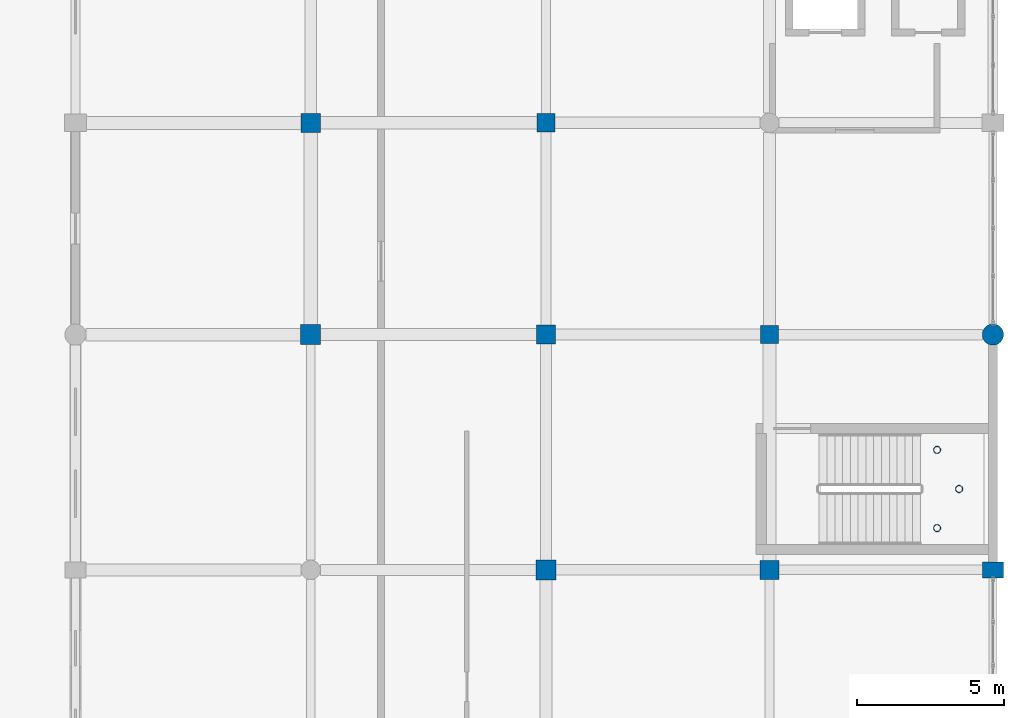
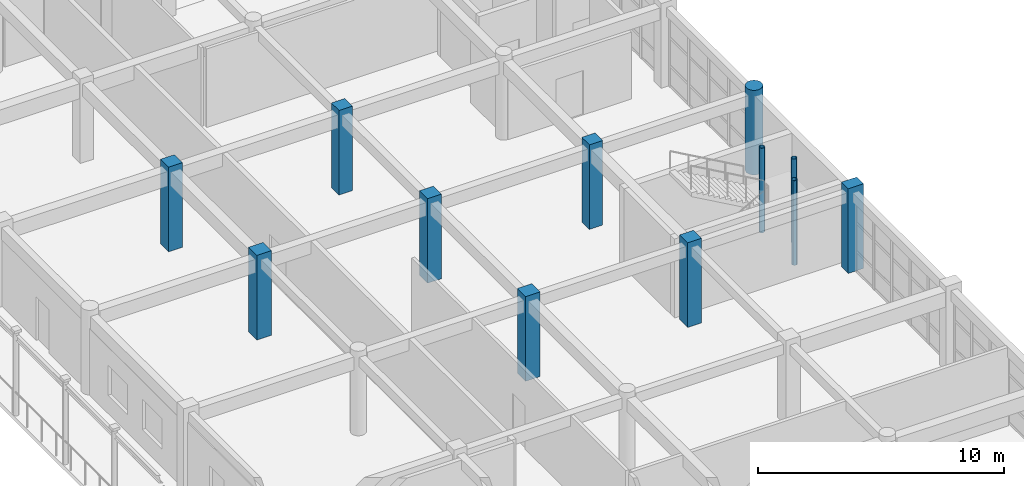
# One storey, part 28 of 195: 12 columns.
"""IFC4 building model written with IfcOpenShell, lengths in metres."""

from ifc_helpers import new_model, si_unit, direction, frame, origin, origin_2d, place, context, subcontext, project, spatial, rectangle, circle, hollow_circle, extrude, material, material_profile, profile_set, type_object, element, save


model = new_model("IFC4")

# Units and contexts
model_context = context("Model", 3, precision=1e-05, world=origin(), true_north=direction((0.0, 1.0)))
body_context = subcontext(model_context, "Body", "Model", "MODEL_VIEW")
ifc_project = project(units=[si_unit("LENGTHUNIT", "METRE"), si_unit("AREAUNIT", "SQUARE_METRE"), si_unit("VOLUMEUNIT", "CUBIC_METRE"), si_unit("PLANEANGLEUNIT", "RADIAN"), si_unit("MASSUNIT", "GRAM", prefix="KILO")], contexts=[model_context])

# Site, building, storey
site_placement = place(None, origin())
site = spatial("IfcSite", under=ifc_project, at=site_placement, CompositionType="ELEMENT")
building_placement = place(site_placement, origin())
building = spatial("IfcBuilding", under=site, at=building_placement, Name="Kharva Crest Polytechnic", CompositionType="ELEMENT")
storey_placement = place(building_placement, frame((0.0, 0.0, 9.0)))
storey = spatial("IfcBuildingStorey", under=building, at=storey_placement, Name="L02", CompositionType="ELEMENT", Elevation=9.0)

# Columns
ifc_material_1 = material(Name="Concrete C40/50", Category="concrete")
ifc_material_profile_1 = material_profile(ifc_material_1, rectangle(XDim=0.719970703125, YDim=0.550048828125, at=origin_2d()), Name="RECT 720 X 550")
ifc_profile_set_1 = profile_set([ifc_material_profile_1], Name="Concrete C40/50")
column_type_1 = type_object("IfcColumnType", Name="COL-EXT-720X550", PredefinedType="COLUMN", material=ifc_profile_set_1)
column_1_placement = place(storey_placement, frame((184.0, 70.800048828125, 0.0), z_axis=(0.0, 0.0, 1.0), x_axis=(1.0, 0.0, 0.0)))
element("IfcColumn", 1, at=column_1_placement, inside=storey, type_object=column_type_1, Name="L02 Column 24/K", PredefinedType="COLUMN", context=body_context, shape_type="SweptSolid", body=[
    extrude(rectangle(XDim=0.719970703125, YDim=0.550048828125, at=origin_2d()), origin(), (0.0, 0.0, 1.0), 4.199951171875),
])
ifc_material_profile_2 = material_profile(ifc_material_1, circle(Radius=0.360107421875, at=origin_2d()), Name="DIA 720")
ifc_profile_set_2 = profile_set([ifc_material_profile_2], Name="Concrete C40/50")
column_type_2 = type_object("IfcColumnType", Name="COL-EXT-DIA720", PredefinedType="COLUMN", material=ifc_profile_set_2)
column_2_placement = place(storey_placement, frame((184.0, 78.800048828125, 0.0), z_axis=(0.0, 0.0, 1.0), x_axis=(1.0, 0.0, 0.0)))
element("IfcColumn", 2, at=column_2_placement, inside=storey, type_object=column_type_2, Name="L02 Column 24/L", PredefinedType="COLUMN", context=body_context, shape_type="SweptSolid", body=[
    extrude(circle(Radius=0.360107421875, at=origin_2d()), origin(), (0.0, 0.0, 1.0), 4.199951171875),
])
ifc_material_profile_3 = material_profile(ifc_material_1, rectangle(XDim=0.6201171875, YDim=0.6201171875, at=origin_2d()), Name="RECT 620 X 620")
ifc_profile_set_3 = profile_set([ifc_material_profile_3], Name="Concrete C40/50")
column_type_3 = type_object("IfcColumnType", Name="COL-INT-620X620", PredefinedType="COLUMN", material=ifc_profile_set_3)
for number, where, z_axis, x_axis, name in (
    (3, (168.800048828125, 86.0, 0.0), (0.0, 0.0, 1.0), (1.0, 0.0, 0.0), "L02 Column 22/M"),
    (4, (176.39990234375, 78.800048828125, 0.0), (0.0, 0.0, 1.0), (1.0, 0.0, 0.0), "L02 Column 23/L"),
):
    element("IfcColumn", number, at=place(storey_placement, frame(where, z_axis=z_axis, x_axis=x_axis)), inside=storey, type_object=column_type_3, Name=name, PredefinedType="COLUMN", context=body_context, shape_type="SweptSolid", body=[
        extrude(rectangle(XDim=0.6201171875, YDim=0.6201171875, at=origin_2d()), origin(), (0.0, 0.0, 1.0), 4.199951171875),
    ])
ifc_material_profile_4 = material_profile(ifc_material_1, rectangle(XDim=0.64990234375, YDim=0.64990234375, at=origin_2d()), Name="RECT 650 X 650")
ifc_profile_set_4 = profile_set([ifc_material_profile_4], Name="Concrete C40/50")
column_type_4 = type_object("IfcColumnType", Name="COL-INT-650X650", PredefinedType="COLUMN", material=ifc_profile_set_4)
for number, where, z_axis, x_axis, name in (
    (5, (160.800048828125, 86.0, 0.0), (0.0, 0.0, 1.0), (1.0, 0.0, 0.0), "L02 Column 21/M"),
    (6, (168.800048828125, 78.800048828125, 0.0), (0.0, 0.0, 1.0), (1.0, 0.0, 0.0), "L02 Column 22/L"),
    (7, (176.39990234375, 70.800048828125, 0.0), (0.0, 0.0, 1.0), (1.0, 0.0, 0.0), "L02 Column 23/K"),
):
    element("IfcColumn", number, at=place(storey_placement, frame(where, z_axis=z_axis, x_axis=x_axis)), inside=storey, type_object=column_type_4, Name=name, PredefinedType="COLUMN", context=body_context, shape_type="SweptSolid", body=[
        extrude(rectangle(XDim=0.64990234375, YDim=0.64990234375, at=origin_2d()), origin(), (0.0, 0.0, 1.0), 4.199951171875),
    ])
ifc_material_profile_5 = material_profile(ifc_material_1, rectangle(XDim=0.679931640625, YDim=0.679931640625, at=origin_2d()), Name="RECT 680 X 680")
ifc_profile_set_5 = profile_set([ifc_material_profile_5], Name="Concrete C40/50")
column_type_5 = type_object("IfcColumnType", Name="COL-INT-680X680", PredefinedType="COLUMN", material=ifc_profile_set_5)
for number, where, z_axis, x_axis, name in (
    (8, (160.800048828125, 78.800048828125, 0.0), (0.0, 0.0, 1.0), (1.0, 0.0, 0.0), "L02 Column 21/L"),
    (9, (168.800048828125, 70.800048828125, 0.0), (0.0, 0.0, 1.0), (1.0, 0.0, 0.0), "L02 Column 22/K"),
):
    element("IfcColumn", number, at=place(storey_placement, frame(where, z_axis=z_axis, x_axis=x_axis)), inside=storey, type_object=column_type_5, Name=name, PredefinedType="COLUMN", context=body_context, shape_type="SweptSolid", body=[
        extrude(rectangle(XDim=0.679931640625, YDim=0.679931640625, at=origin_2d()), origin(), (0.0, 0.0, 1.0), 4.199951171875),
    ])
ifc_material_2 = material(Name="Steel S355", Category="steel")
ifc_material_profile_6 = material_profile(ifc_material_2, hollow_circle(Radius=0.122314453125, WallThickness=0.010009765625, at=origin_2d()), Name="CHS 244.5X10.0")
ifc_profile_set_6 = profile_set([ifc_material_profile_6], Name="Steel S355")
column_type_6 = type_object("IfcColumnType", Name="COL-STL-CHS244", PredefinedType="COLUMN", material=ifc_profile_set_6)
for number, where, z_axis, x_axis, name in (
    (10, (182.10009765625, 72.219970703125, 0.0), (0.0, 0.0, 1.0), (1.0, 0.0, 0.0), "L02 Stair ST-05 Landing Support Column SW"),
    (11, (182.10009765625, 74.8798828125, 0.0), (0.0, 0.0, 1.0), (1.0, 0.0, 0.0), "L02 Stair ST-05 Landing Support Column NW"),
    (12, (182.85009765625, 73.550048828125, 0.0), (0.0, 0.0, 1.0), (1.0, 0.0, 0.0), "L02 Stair ST-05 Landing Support Column EM"),
):
    element("IfcColumn", number, at=place(storey_placement, frame(where, z_axis=z_axis, x_axis=x_axis)), inside=storey, type_object=column_type_6, Name=name, PredefinedType="COLUMN", context=body_context, shape_type="SweptSolid", body=[
        extrude(hollow_circle(Radius=0.122314453125, WallThickness=0.010009765625, at=origin_2d()), origin(), (0.0, 0.0, 1.0), 4.199951171875),
    ])

save(model, "model.ifc")
